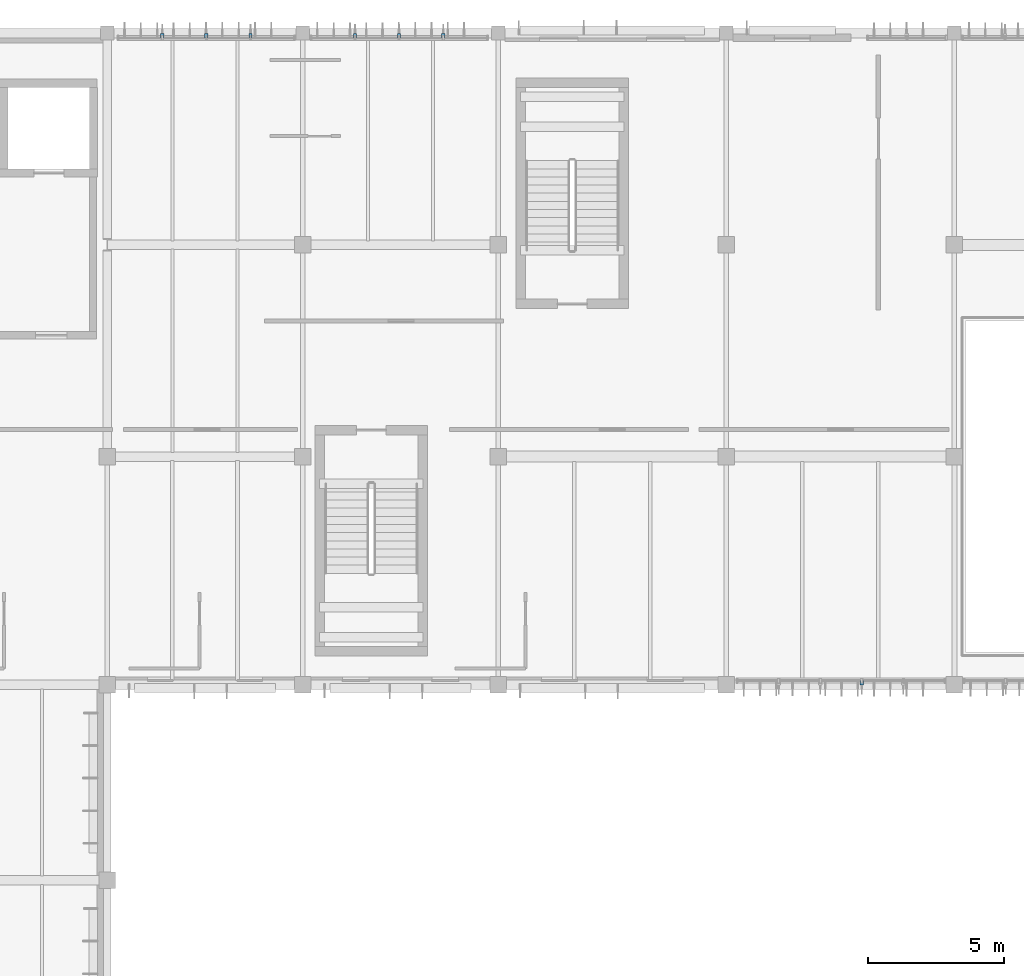
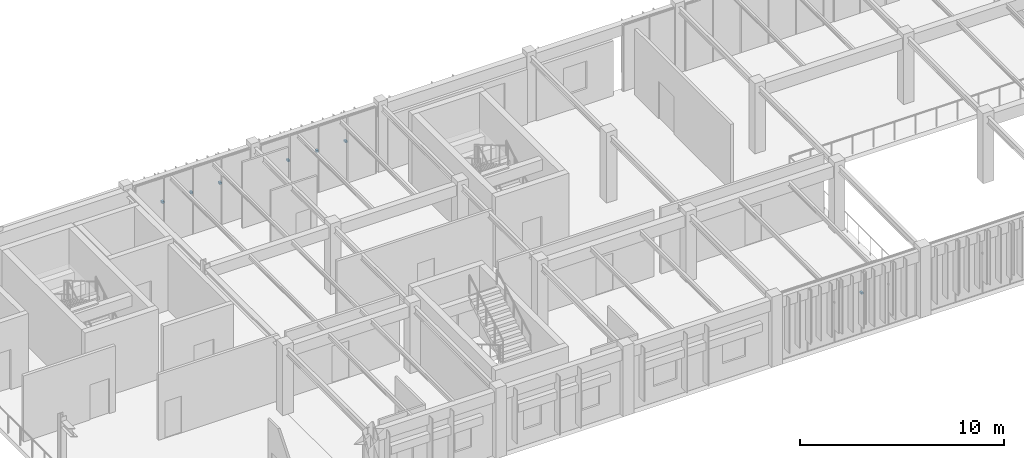
# One storey, part 57 of 122: 7 discrete accessories.
"""IFC4 building model written with IfcOpenShell, lengths in metres."""

from ifc_helpers import new_model, si_unit, direction, frame, origin, origin_2d, place, context, subcontext, project, spatial, rectangle, extrude, material, type_object, element, save


model = new_model("IFC4")

# Units and contexts
model_context = context("Model", 3, precision=1e-05, world=origin(), true_north=direction((0.0, 1.0)))
body_context = subcontext(model_context, "Body", "Model", "MODEL_VIEW")
ifc_project = project(units=[si_unit("LENGTHUNIT", "METRE"), si_unit("AREAUNIT", "SQUARE_METRE"), si_unit("VOLUMEUNIT", "CUBIC_METRE"), si_unit("PLANEANGLEUNIT", "RADIAN"), si_unit("MASSUNIT", "GRAM", prefix="KILO")], contexts=[model_context])

# Site, building, storey
site_placement = place(None, origin())
site = spatial("IfcSite", under=ifc_project, at=site_placement, CompositionType="ELEMENT")
building_placement = place(site_placement, origin())
building = spatial("IfcBuilding", under=site, at=building_placement, Name="Tazoul Stagehouse", CompositionType="ELEMENT")
storey_placement = place(building_placement, frame((0.0, 0.0, 4.800048828125)))
storey = spatial("IfcBuildingStorey", under=building, at=storey_placement, Name="L01", CompositionType="ELEMENT", Elevation=4.800048828125)

# Discrete accessories
ifc_material = material(Name="Austenitic Stainless Steel EN 1.4401", Category="steel")
discrete_accessory_type = type_object("IfcDiscreteAccessoryType", Name="Stainless Steel Louvre Support Cleat Bracket", PredefinedType="BRACKET", material=ifc_material)
for number, where, z_axis, x_axis, name in (
    (1, (104.625, 111.699951171875, 2.3486328125), (0.0, 0.0, 1.0), (1.0, 0.0, 0.0), "Cleat Bracket BRK-01 CW-V3-N1-L01-B1-BRK01"),
    (2, (106.25, 111.699951171875, 2.3486328125), (0.0, 0.0, 1.0), (1.0, 0.0, 0.0), "Cleat Bracket BRK-01 CW-V3-N1-L01-B1-BRK02"),
    (3, (107.875, 111.699951171875, 2.3486328125), (0.0, 0.0, 1.0), (1.0, 0.0, 0.0), "Cleat Bracket BRK-01 CW-V3-N1-L01-B1-BRK03"),
    (4, (111.72509765625, 111.699951171875, 2.3486328125), (0.0, 0.0, 1.0), (1.0, 0.0, 0.0), "Cleat Bracket BRK-01 CW-V3-N1-L01-B2-BRK01"),
    (5, (113.35009765625, 111.699951171875, 2.3486328125), (0.0, 0.0, 1.0), (1.0, 0.0, 0.0), "Cleat Bracket BRK-01 CW-V3-N1-L01-B2-BRK02"),
    (6, (114.97509765625, 111.699951171875, 2.3486328125), (0.0, 0.0, 1.0), (1.0, 0.0, 0.0), "Cleat Bracket BRK-01 CW-V3-N1-L01-B2-BRK03"),
    (7, (130.389892578125, 87.8701171875, 2.3486328125), (0.0, 0.0, 1.0), (1.0, 0.0, 0.0), "Cleat Bracket BRK-01 CW-V3-S2-L01-B1-BRK03"),
):
    element("IfcDiscreteAccessory", number, at=place(storey_placement, frame(where, z_axis=z_axis, x_axis=x_axis)), inside=storey, type_object=discrete_accessory_type, Name=name, PredefinedType="BRACKET", context=body_context, shape_type="SweptSolid", body=[
        extrude(rectangle(XDim=0.1201171875, YDim=0.159912109375, at=origin_2d()), origin(), (0.0, 0.0, 1.0), 0.1201171875),
    ])

save(model, "model.ifc")
